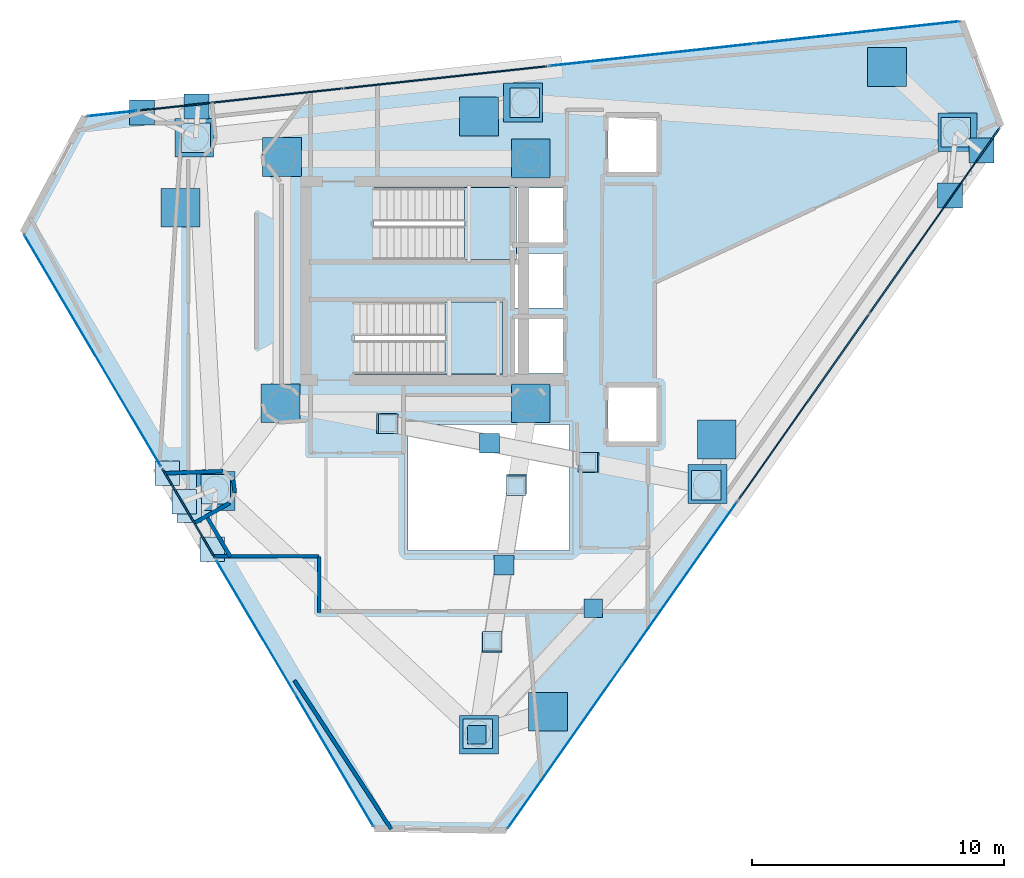
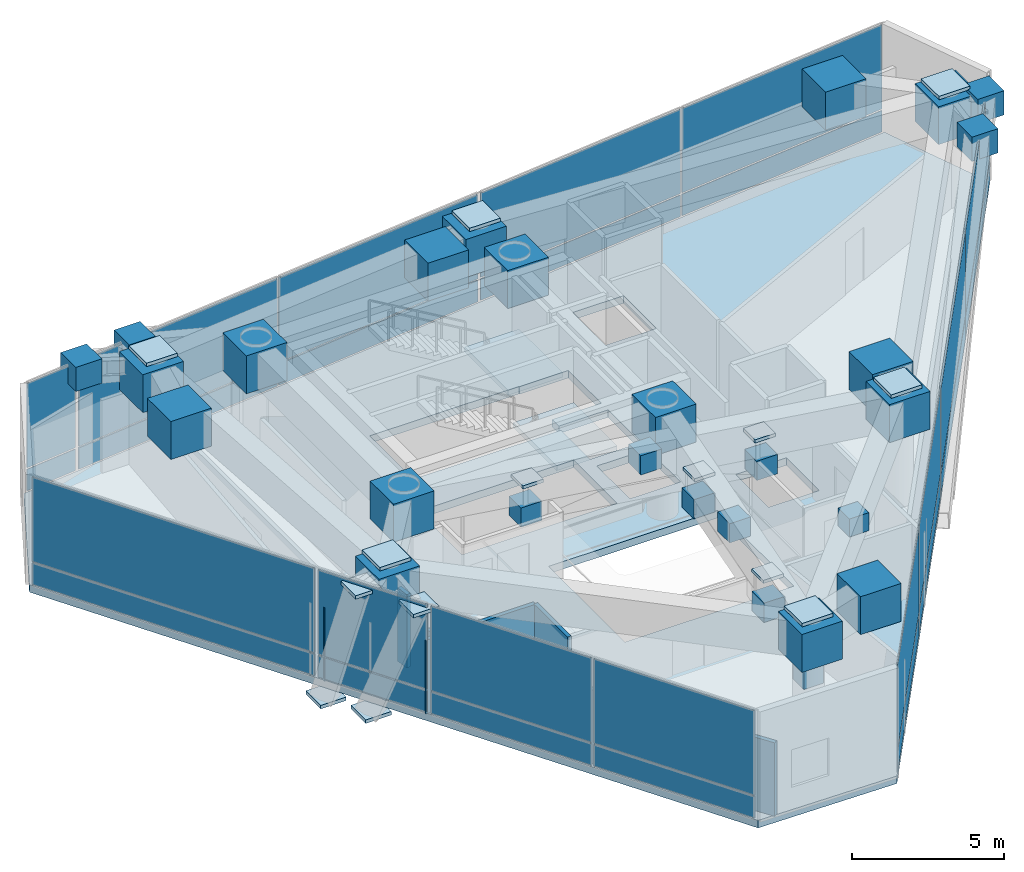
# One storey, part 17 of 21: 67 plates, 7 walls, 3 slabs, 10 elements without a shape of their own.
"""IFC4 building model written with IfcOpenShell, lengths in metres."""

from ifc_helpers import new_model, si_unit, direction, frame, frame_2d, origin, origin_2d, place, context, subcontext, project, spatial, polyline, rectangle, outline, extrude, material, layer, layer_set, type_object, element, aggregate, save


model = new_model("IFC4")

# Units and contexts
model_context = context("Model", 3, precision=1e-05, world=origin(), true_north=direction((0.0, 1.0)))
body_context = subcontext(model_context, "Body", "Model", "MODEL_VIEW")
ifc_project = project(units=[si_unit("LENGTHUNIT", "METRE"), si_unit("AREAUNIT", "SQUARE_METRE"), si_unit("VOLUMEUNIT", "CUBIC_METRE"), si_unit("PLANEANGLEUNIT", "RADIAN"), si_unit("MASSUNIT", "GRAM", prefix="KILO")], contexts=[model_context])

# Site, building, storey
site_placement = place(None, origin())
site = spatial("IfcSite", under=ifc_project, at=site_placement, CompositionType="ELEMENT")
building_placement = place(site_placement, origin())
building = spatial("IfcBuilding", under=site, at=building_placement, Name="Qianvela Tower", CompositionType="ELEMENT")
storey_placement = place(building_placement, frame((0.0, 0.0, 276.0)))
storey = spatial("IfcBuildingStorey", under=building, at=storey_placement, Name="L71", CompositionType="ELEMENT", Elevation=276.0)

# Curtain wall, plates
ifc_material_1 = material(Name="Anodised Architectural Aluminium and Insulated Spandrel Panel", Category="aluminium")
ifc_layer_1 = layer(ifc_material_1, 0.179931640625)
ifc_layer_set_1 = layer_set([ifc_layer_1], Name="Anodised Architectural Aluminium and Insulated Spandrel Panel")
curtain_wall_type_1 = type_object("IfcCurtainWallType", Name="CW-BRACEBAY", PredefinedType="USERDEFINED", material=ifc_layer_set_1)
curtain_wall_1_placement = place(storey_placement, origin())
curtain_wall_1 = element("IfcCurtainWall", 1, at=curtain_wall_1_placement, inside=storey, type_object=curtain_wall_type_1, Name="L71 CW-BRACEBAY Curtain Wall 02B", ObjectType="CURTAIN_WALL_SYSTEM", PredefinedType="USERDEFINED")
ifc_material_2 = material(Name="Insulated Aluminium Spandrel Panel with Mineral-Wool Backpan", Category="aluminium")
ifc_layer_2 = layer(ifc_material_2, 0.06005859375)
ifc_layer_set_2 = layer_set([ifc_layer_2], Name="Insulated Aluminium Spandrel Panel with Mineral-Wool Backpan")
plate_type_1 = type_object("IfcPlateType", Name="CW-BRACEBAY-PNL", PredefinedType="CURTAIN_PANEL", material=ifc_layer_set_2)
plate_1_placement = place(storey_placement, frame((35.085205078125, 36.777587890625, 0.06494140625), z_axis=(0.0, 0.0, 1.0), x_axis=(-0.994137633578, -0.108121993618, 0.0)))
plate_1 = element("IfcPlate", 2, at=plate_1_placement, type_object=plate_type_1, Name="CW-9 panel 1.1", PredefinedType="CURTAIN_PANEL", context=body_context, shape_type="SweptSolid", body=[
    extrude(rectangle(XDim=8.07763671875, YDim=0.06005859375, at=origin_2d()), origin(), (0.0, 0.0, 1.0), 0.8525390625),
])
plate_2_placement = place(storey_placement, frame((35.085205078125, 36.777587890625, 0.982421875), z_axis=(0.0, 0.0, 1.0), x_axis=(-0.994137633578, -0.108121993618, 0.0)))
plate_2 = element("IfcPlate", 3, at=plate_2_placement, type_object=plate_type_1, Name="CW-9 panel 1.2", PredefinedType="CURTAIN_PANEL", context=body_context, shape_type="SweptSolid", body=[
    extrude(rectangle(XDim=8.07763671875, YDim=0.06005859375, at=origin_2d()), origin(), (0.0, 0.0, 1.0), 3.37255859375),
])
plate_3_placement = place(storey_placement, frame((26.990478515625, 35.897216796875, 0.06494140625), z_axis=(0.0, 0.0, 1.0), x_axis=(-0.994137633578, -0.108121993618, 0.0)))
plate_3 = element("IfcPlate", 4, at=plate_3_placement, type_object=plate_type_1, Name="CW-9 panel 2.1", PredefinedType="CURTAIN_PANEL", context=body_context, shape_type="SweptSolid", body=[
    extrude(rectangle(XDim=8.07763671875, YDim=0.06005859375, at=origin_2d()), origin(), (0.0, 0.0, 1.0), 0.8525390625),
])
plate_4_placement = place(storey_placement, frame((26.990478515625, 35.897216796875, 0.982421875), z_axis=(0.0, 0.0, 1.0), x_axis=(-0.994137633578, -0.108121993618, 0.0)))
plate_4 = element("IfcPlate", 5, at=plate_4_placement, type_object=plate_type_1, Name="CW-9 panel 2.2", PredefinedType="CURTAIN_PANEL", context=body_context, shape_type="SweptSolid", body=[
    extrude(rectangle(XDim=8.07763671875, YDim=0.06005859375, at=origin_2d()), origin(), (0.0, 0.0, 1.0), 3.37255859375),
])
aggregate(curtain_wall_1, [plate_1, plate_2, plate_3, plate_4])

curtain_wall_2_placement = place(storey_placement, origin())
curtain_wall_2 = element("IfcCurtainWall", 6, at=curtain_wall_2_placement, inside=storey, type_object=curtain_wall_type_1, Name="L71 CW-BRACEBAY Curtain Wall 04B", ObjectType="CURTAIN_WALL_SYSTEM", PredefinedType="USERDEFINED")
plate_5_placement = place(storey_placement, frame((24.9013671875, 19.473388671875, 0.06494140625), z_axis=(0.0, 0.0, 1.0), x_axis=(0.508447997212, -0.861092697758, 0.0)))
plate_5 = element("IfcPlate", 7, at=plate_5_placement, type_object=plate_type_1, Name="CW-9 panel 1.1", PredefinedType="CURTAIN_PANEL", context=body_context, shape_type="SweptSolid", body=[
    extrude(rectangle(XDim=4.10986328125, YDim=0.06005859375, at=origin_2d()), origin(), (0.0, 0.0, 1.0), 0.8525390625),
])
plate_6_placement = place(storey_placement, frame((24.9013671875, 19.473388671875, 0.982421875), z_axis=(0.0, 0.0, 1.0), x_axis=(0.508447997212, -0.861092697758, 0.0)))
plate_6 = element("IfcPlate", 8, at=plate_6_placement, type_object=plate_type_1, Name="CW-9 panel 1.2", PredefinedType="CURTAIN_PANEL", context=body_context, shape_type="SweptSolid", body=[
    extrude(rectangle(XDim=4.10986328125, YDim=0.06005859375, at=origin_2d()), origin(), (0.0, 0.0, 1.0), 3.37255859375),
])
aggregate(curtain_wall_2, [plate_5, plate_6])

curtain_wall_3_placement = place(storey_placement, origin())
curtain_wall_3 = element("IfcCurtainWall", 9, at=curtain_wall_3_placement, inside=storey, type_object=curtain_wall_type_1, Name="L71 CW-BRACEBAY Curtain Wall 06B", ObjectType="CURTAIN_WALL_SYSTEM", PredefinedType="USERDEFINED")
plate_7_placement = place(storey_placement, frame((49.29443359375, 23.69580078125, 0.06494140625), z_axis=(0.0, 0.0, 1.0), x_axis=(0.574823001898, 0.818277774652, 0.0)))
plate_7 = element("IfcPlate", 10, at=plate_7_placement, type_object=plate_type_1, Name="CW-9 panel 1.1", PredefinedType="CURTAIN_PANEL", context=body_context, shape_type="SweptSolid", body=[
    extrude(rectangle(XDim=8.955810546875, YDim=0.06005859375, at=origin_2d()), origin(), (0.0, 0.0, 1.0), 0.8525390625),
])
plate_8_placement = place(storey_placement, frame((49.29443359375, 23.69580078125, 0.982421875), z_axis=(0.0, 0.0, 1.0), x_axis=(0.574823001898, 0.818277774652, 0.0)))
plate_8 = element("IfcPlate", 11, at=plate_8_placement, type_object=plate_type_1, Name="CW-9 panel 1.2", PredefinedType="CURTAIN_PANEL", context=body_context, shape_type="SweptSolid", body=[
    extrude(rectangle(XDim=8.955810546875, YDim=0.06005859375, at=origin_2d()), origin(), (0.0, 0.0, 1.0), 3.37255859375),
])
plate_9_placement = place(storey_placement, frame((54.47998046875, 31.077392578125, 0.06494140625), z_axis=(0.0, 0.0, 1.0), x_axis=(0.574823001898, 0.818277774652, 0.0)))
plate_9 = element("IfcPlate", 12, at=plate_9_placement, type_object=plate_type_1, Name="CW-9 panel 2.1", PredefinedType="CURTAIN_PANEL", context=body_context, shape_type="SweptSolid", body=[
    extrude(rectangle(XDim=8.955810546875, YDim=0.06005859375, at=origin_2d()), origin(), (0.0, 0.0, 1.0), 0.8525390625),
])
plate_10_placement = place(storey_placement, frame((54.47998046875, 31.077392578125, 0.982421875), z_axis=(0.0, 0.0, 1.0), x_axis=(0.574823001898, 0.818277774652, 0.0)))
plate_10 = element("IfcPlate", 13, at=plate_10_placement, type_object=plate_type_1, Name="CW-9 panel 2.2", PredefinedType="CURTAIN_PANEL", context=body_context, shape_type="SweptSolid", body=[
    extrude(rectangle(XDim=8.955810546875, YDim=0.06005859375, at=origin_2d()), origin(), (0.0, 0.0, 1.0), 3.37255859375),
])
aggregate(curtain_wall_3, [plate_7, plate_8, plate_9, plate_10])

ifc_material_3 = material(Name="Anodised Architectural Aluminium and Low-E Glass", Category="aluminium")
ifc_layer_3 = layer(ifc_material_3, 0.159912109375)
ifc_layer_set_3 = layer_set([ifc_layer_3], Name="Anodised Architectural Aluminium and Low-E Glass")
curtain_wall_type_2 = type_object("IfcCurtainWallType", Name="CW-COLIV-Z56", PredefinedType="USERDEFINED", material=ifc_layer_set_3)
curtain_wall_4_placement = place(storey_placement, origin())
curtain_wall_4 = element("IfcCurtainWall", 14, at=curtain_wall_4_placement, inside=storey, type_object=curtain_wall_type_2, Name="L71 CW-COLIV-Z56 Curtain Wall 02A", ObjectType="CURTAIN_WALL_SYSTEM", PredefinedType="USERDEFINED")
ifc_material_4 = material(Name="Double-Silver Low-E Insulated Glass", Category="glass")
ifc_layer_4 = layer(ifc_material_4, 0.028076171875)
ifc_layer_set_4 = layer_set([ifc_layer_4], Name="Double-Silver Low-E Insulated Glass")
plate_type_2 = type_object("IfcPlateType", Name="CW-COLIV-Z56-PNL", PredefinedType="CURTAIN_PANEL", material=ifc_layer_set_4)
plate_11_placement = place(storey_placement, frame((51.406494140625, 38.552734375, 0.06005859375), z_axis=(0.0, 0.0, 1.0), x_axis=(-0.994137784653, -0.108120604534, 0.0)))
plate_11 = element("IfcPlate", 15, at=plate_11_placement, type_object=plate_type_2, Name="CW-5 panel 1.1", PredefinedType="CURTAIN_PANEL", context=body_context, shape_type="SweptSolid", body=[
    extrude(rectangle(XDim=8.12255859375, YDim=0.028076171875, at=origin_2d()), origin(), (0.0, 0.0, 1.0), 0.860107421875),
])
plate_12_placement = place(storey_placement, frame((51.406494140625, 38.552734375, 0.97998046875), z_axis=(0.0, 0.0, 1.0), x_axis=(-0.994137784653, -0.108120604534, 0.0)))
plate_12 = element("IfcPlate", 16, at=plate_12_placement, type_object=plate_type_2, Name="CW-5 panel 1.2", PredefinedType="CURTAIN_PANEL", context=body_context, shape_type="SweptSolid", body=[
    extrude(rectangle(XDim=8.12255859375, YDim=0.028076171875, at=origin_2d()), origin(), (0.0, 0.0, 1.0), 3.3798828125),
])
plate_13_placement = place(storey_placement, frame((43.266845703125, 37.66748046875, 0.06005859375), z_axis=(0.0, 0.0, 1.0), x_axis=(-0.994137784653, -0.108120604534, 0.0)))
plate_13 = element("IfcPlate", 17, at=plate_13_placement, type_object=plate_type_2, Name="CW-5 panel 2.1", PredefinedType="CURTAIN_PANEL", context=body_context, shape_type="SweptSolid", body=[
    extrude(rectangle(XDim=8.12255859375, YDim=0.028076171875, at=origin_2d()), origin(), (0.0, 0.0, 1.0), 0.860107421875),
])
plate_14_placement = place(storey_placement, frame((43.266845703125, 37.66748046875, 0.97998046875), z_axis=(0.0, 0.0, 1.0), x_axis=(-0.994137784653, -0.108120604534, 0.0)))
plate_14 = element("IfcPlate", 18, at=plate_14_placement, type_object=plate_type_2, Name="CW-5 panel 2.2", PredefinedType="CURTAIN_PANEL", context=body_context, shape_type="SweptSolid", body=[
    extrude(rectangle(XDim=8.12255859375, YDim=0.028076171875, at=origin_2d()), origin(), (0.0, 0.0, 1.0), 3.3798828125),
])
aggregate(curtain_wall_4, [plate_11, plate_12, plate_13, plate_14])

curtain_wall_5_placement = place(storey_placement, origin())
curtain_wall_5 = element("IfcCurtainWall", 19, at=curtain_wall_5_placement, inside=storey, type_object=curtain_wall_type_2, Name="L71 CW-COLIV-Z56 Curtain Wall 02C", ObjectType="CURTAIN_WALL_SYSTEM", PredefinedType="USERDEFINED")
plate_15_placement = place(storey_placement, frame((21.868408203125, 35.34033203125, 0.06005859375), z_axis=(0.0, 0.0, 1.0), x_axis=(-0.994138112825, -0.108117587042, 0.0)))
plate_15 = element("IfcPlate", 20, at=plate_15_placement, type_object=plate_type_2, Name="CW-5 panel 1.1", PredefinedType="CURTAIN_PANEL", context=body_context, shape_type="SweptSolid", body=[
    extrude(rectangle(XDim=1.966796875, YDim=0.028076171875, at=origin_2d()), origin(), (0.0, 0.0, 1.0), 0.860107421875),
])
plate_16_placement = place(storey_placement, frame((21.868408203125, 35.34033203125, 0.97998046875), z_axis=(0.0, 0.0, 1.0), x_axis=(-0.994138112825, -0.108117587042, 0.0)))
plate_16 = element("IfcPlate", 21, at=plate_16_placement, type_object=plate_type_2, Name="CW-5 panel 1.2", PredefinedType="CURTAIN_PANEL", context=body_context, shape_type="SweptSolid", body=[
    extrude(rectangle(XDim=1.966796875, YDim=0.028076171875, at=origin_2d()), origin(), (0.0, 0.0, 1.0), 3.3798828125),
])
aggregate(curtain_wall_5, [plate_15, plate_16])

curtain_wall_6_placement = place(storey_placement, origin())
curtain_wall_6 = element("IfcCurtainWall", 22, at=curtain_wall_6_placement, inside=storey, type_object=curtain_wall_type_2, Name="L71 CW-COLIV-Z56 Curtain Wall 04A", ObjectType="CURTAIN_WALL_SYSTEM", PredefinedType="USERDEFINED")
plate_17_placement = place(storey_placement, frame((21.08544921875, 25.93603515625, 0.06005859375), z_axis=(0.0, 0.0, 1.0), x_axis=(0.50844086359, -0.861096909896, 0.0)))
plate_17 = element("IfcPlate", 23, at=plate_17_placement, type_object=plate_type_2, Name="CW-5 panel 1.1", PredefinedType="CURTAIN_PANEL", context=body_context, shape_type="SweptSolid", body=[
    extrude(rectangle(XDim=10.639892578125, YDim=0.028076171875, at=origin_2d()), origin(), (0.0, 0.0, 1.0), 0.860107421875),
])
plate_18_placement = place(storey_placement, frame((21.08544921875, 25.93603515625, 0.97998046875), z_axis=(0.0, 0.0, 1.0), x_axis=(0.50844086359, -0.861096909896, 0.0)))
plate_18 = element("IfcPlate", 24, at=plate_18_placement, type_object=plate_type_2, Name="CW-5 panel 1.2", PredefinedType="CURTAIN_PANEL", context=body_context, shape_type="SweptSolid", body=[
    extrude(rectangle(XDim=10.639892578125, YDim=0.028076171875, at=origin_2d()), origin(), (0.0, 0.0, 1.0), 3.3798828125),
])
aggregate(curtain_wall_6, [plate_17, plate_18])

curtain_wall_7_placement = place(storey_placement, origin())
curtain_wall_7 = element("IfcCurtainWall", 25, at=curtain_wall_7_placement, inside=storey, type_object=curtain_wall_type_2, Name="L71 CW-COLIV-Z56 Curtain Wall 04C", ObjectType="CURTAIN_WALL_SYSTEM", PredefinedType="USERDEFINED")
plate_19_placement = place(storey_placement, frame((27.55615234375, 14.977294921875, 0.06005859375), z_axis=(0.0, 0.0, 1.0), x_axis=(0.508444010249, -0.861095051921, 0.0)))
plate_19 = element("IfcPlate", 26, at=plate_19_placement, type_object=plate_type_2, Name="CW-5 panel 1.1", PredefinedType="CURTAIN_PANEL", context=body_context, shape_type="SweptSolid", body=[
    extrude(rectangle(XDim=6.0732421875, YDim=0.028076171875, at=origin_2d()), origin(), (0.0, 0.0, 1.0), 0.860107421875),
])
plate_20_placement = place(storey_placement, frame((27.55615234375, 14.977294921875, 0.97998046875), z_axis=(0.0, 0.0, 1.0), x_axis=(0.508444010249, -0.861095051921, 0.0)))
plate_20 = element("IfcPlate", 27, at=plate_20_placement, type_object=plate_type_2, Name="CW-5 panel 1.2", PredefinedType="CURTAIN_PANEL", context=body_context, shape_type="SweptSolid", body=[
    extrude(rectangle(XDim=6.0732421875, YDim=0.028076171875, at=origin_2d()), origin(), (0.0, 0.0, 1.0), 3.3798828125),
])
plate_21_placement = place(storey_placement, frame((30.677001953125, 9.691650390625, 0.06005859375), z_axis=(0.0, 0.0, 1.0), x_axis=(0.508444010249, -0.861095051921, 0.0)))
plate_21 = element("IfcPlate", 28, at=plate_21_placement, type_object=plate_type_2, Name="CW-5 panel 2.1", PredefinedType="CURTAIN_PANEL", context=body_context, shape_type="SweptSolid", body=[
    extrude(rectangle(XDim=6.0732421875, YDim=0.028076171875, at=origin_2d()), origin(), (0.0, 0.0, 1.0), 0.860107421875),
])
plate_22_placement = place(storey_placement, frame((30.677001953125, 9.691650390625, 0.97998046875), z_axis=(0.0, 0.0, 1.0), x_axis=(0.508444010249, -0.861095051921, 0.0)))
plate_22 = element("IfcPlate", 29, at=plate_22_placement, type_object=plate_type_2, Name="CW-5 panel 2.2", PredefinedType="CURTAIN_PANEL", context=body_context, shape_type="SweptSolid", body=[
    extrude(rectangle(XDim=6.0732421875, YDim=0.028076171875, at=origin_2d()), origin(), (0.0, 0.0, 1.0), 3.3798828125),
])
aggregate(curtain_wall_7, [plate_19, plate_20, plate_21, plate_22])

curtain_wall_8_placement = place(storey_placement, origin())
curtain_wall_8 = element("IfcCurtainWall", 30, at=curtain_wall_8_placement, inside=storey, type_object=curtain_wall_type_2, Name="L71 CW-COLIV-Z56 Curtain Wall 06A", ObjectType="CURTAIN_WALL_SYSTEM", PredefinedType="USERDEFINED")
plate_23_placement = place(storey_placement, frame((39.824951171875, 10.215576171875, 0.06005859375), z_axis=(0.0, 0.0, 1.0), x_axis=(0.574820688341, 0.818279399872, 0.0)))
plate_23 = element("IfcPlate", 31, at=plate_23_placement, type_object=plate_type_2, Name="CW-5 panel 1.1", PredefinedType="CURTAIN_PANEL", context=body_context, shape_type="SweptSolid", body=[
    extrude(rectangle(XDim=7.867431640625, YDim=0.028076171875, at=origin_2d()), origin(), (0.0, 0.0, 1.0), 0.860107421875),
])
plate_24_placement = place(storey_placement, frame((39.824951171875, 10.215576171875, 0.97998046875), z_axis=(0.0, 0.0, 1.0), x_axis=(0.574820688341, 0.818279399872, 0.0)))
plate_24 = element("IfcPlate", 32, at=plate_24_placement, type_object=plate_type_2, Name="CW-5 panel 1.2", PredefinedType="CURTAIN_PANEL", context=body_context, shape_type="SweptSolid", body=[
    extrude(rectangle(XDim=7.867431640625, YDim=0.028076171875, at=origin_2d()), origin(), (0.0, 0.0, 1.0), 3.3798828125),
])
plate_25_placement = place(storey_placement, frame((44.384521484375, 16.70654296875, 0.06005859375), z_axis=(0.0, 0.0, 1.0), x_axis=(0.574820688341, 0.818279399872, 0.0)))
plate_25 = element("IfcPlate", 33, at=plate_25_placement, type_object=plate_type_2, Name="CW-5 panel 2.1", PredefinedType="CURTAIN_PANEL", context=body_context, shape_type="SweptSolid", body=[
    extrude(rectangle(XDim=7.867431640625, YDim=0.028076171875, at=origin_2d()), origin(), (0.0, 0.0, 1.0), 0.860107421875),
])
plate_26_placement = place(storey_placement, frame((44.384521484375, 16.70654296875, 0.97998046875), z_axis=(0.0, 0.0, 1.0), x_axis=(0.574820688341, 0.818279399872, 0.0)))
plate_26 = element("IfcPlate", 34, at=plate_26_placement, type_object=plate_type_2, Name="CW-5 panel 2.2", PredefinedType="CURTAIN_PANEL", context=body_context, shape_type="SweptSolid", body=[
    extrude(rectangle(XDim=7.867431640625, YDim=0.028076171875, at=origin_2d()), origin(), (0.0, 0.0, 1.0), 3.3798828125),
])
aggregate(curtain_wall_8, [plate_23, plate_24, plate_25, plate_26])

# Plates
ifc_material_5 = material(Name="Steel Q420GJC", Category="steel")
ifc_layer_5 = layer(ifc_material_5, 0.1298828125)
ifc_layer_set_5 = layer_set([ifc_layer_5], Name="Steel Q420GJC")
plate_type_3 = type_object("IfcPlateType", Name="PT-ENDCAP-130", PredefinedType="USERDEFINED", material=ifc_layer_set_5)
for number, where, z_axis, x_axis, name in (
    (35, (37.89208984375, 20.572998046875, 3.713134765625), (0.0, 0.0, 1.0), (1.0, 0.0, 0.0), "L71 Hollow Section End Cap Plate B"),
    (36, (36.937744140625, 14.412109375, 3.713134765625), (0.0, 0.0, 1.0), (1.0, 0.0, 0.0), "L71 Hollow Section End Cap Plate B"),
    (37, (32.80908203125, 23.037109375, 3.713134765625), (0.0, 0.0, 1.0), (1.0, 0.0, 0.0), "L71 Hollow Section End Cap Plate B"),
    (38, (40.721923828125, 21.508544921875, 3.713134765625), (0.0, 0.0, 1.0), (1.0, 0.0, 0.0), "L71 Hollow Section End Cap Plate B"),
):
    element("IfcPlate", number, at=place(storey_placement, frame(where, z_axis=z_axis, x_axis=x_axis)), inside=storey, type_object=plate_type_3, Name=name, ObjectType="END_CAP", PredefinedType="USERDEFINED", context=body_context, shape_type="SweptSolid", body=[
        extrude(rectangle(XDim=0.77001953125, YDim=0.77001953125, at=origin_2d()), origin(), (0.0, 0.0, 1.0), 0.1298828125),
    ])
ifc_material_6 = material(Name="Steel Q420GJC", Category="steel")
ifc_layer_6 = layer(ifc_material_6, 0.139892578125)
ifc_layer_set_6 = layer_set([ifc_layer_6], Name="Steel Q420GJC")
plate_type_4 = type_object("IfcPlateType", Name="PT-GUSSET-NODE-140", PredefinedType="USERDEFINED", material=ifc_layer_set_6)
for number, where, z_axis, x_axis, name in (
    (39, (55.33203125, 34.60498046875, 4.59521484375), (0.0, 0.0, 1.0), (1.0, 0.0, 0.0), "L71 Node Gusset Plate TOP"),
    (40, (38.22509765625, 35.77294921875, 4.59521484375), (0.0, 0.0, 1.0), (1.0, 0.0, 0.0), "L71 Node Gusset Plate TOP"),
    (41, (25.181884765625, 34.384033203125, 4.59521484375), (0.0, 0.0, 1.0), (1.0, 0.0, 0.0), "L71 Node Gusset Plate TOP"),
    (42, (25.971923828125, 20.43701171875, 4.59521484375), (0.0, 0.0, 1.0), (1.0, 0.0, 0.0), "L71 Node Gusset Plate TOP"),
    (43, (36.368896484375, 10.741943359375, 4.59521484375), (0.0, 0.0, 1.0), (1.0, 0.0, 0.0), "L71 Node Gusset Plate TOP"),
    (44, (45.43603515625, 20.597900390625, 4.59521484375), (0.0, 0.0, 1.0), (1.0, 0.0, 0.0), "L71 Node Gusset Plate TOP"),
):
    element("IfcPlate", number, at=place(storey_placement, frame(where, z_axis=z_axis, x_axis=x_axis)), inside=storey, type_object=plate_type_4, Name=name, ObjectType="GUSSET_PLATE", PredefinedType="USERDEFINED", context=body_context, shape_type="SweptSolid", body=[
        extrude(rectangle(XDim=1.169921875, YDim=1.169921875, at=origin_2d()), origin(), (0.0, 0.0, 1.0), 0.139892578125),
    ])
for number, where, z_axis, x_axis, name in (
    (45, (25.206298828125, 35.622802734375, 3.6533203125), (0.0, 0.0, 1.0), (1.0, 0.0, 0.0), "L71 Node Gusset Plate B"),
    (46, (23.0439453125, 35.3876953125, 3.65283203125), (0.0, 0.0, 1.0), (1.0, 0.0, 0.0), "L71 Node Gusset Plate B"),
):
    element("IfcPlate", number, at=place(storey_placement, frame(where, z_axis=z_axis, x_axis=x_axis)), inside=storey, type_object=plate_type_4, Name=name, ObjectType="GUSSET_PLATE", PredefinedType="USERDEFINED", context=body_context, shape_type="SweptSolid", body=[
        extrude(rectangle(XDim=0.989990234375, YDim=0.989990234375, at=origin_2d()), origin(), (0.0, 0.0, 1.0), 0.969970703125),
    ])
for number, where, z_axis, x_axis, name in (
    (47, (24.05078125, 21.071044921875, -0.73486328125), (0.0, 0.0, 1.0), (1.0, 0.0, 0.0), "L71 Node Gusset Plate A"),
    (48, (24.721923828125, 19.9345703125, 4.11083984375), (0.0, 0.0, 1.0), (1.0, 0.0, 0.0), "L71 Node Gusset Plate B"),
    (49, (24.913818359375, 19.609619140625, -0.73291015625), (0.0, 0.0, 1.0), (1.0, 0.0, 0.0), "L71 Node Gusset Plate A"),
    (50, (25.830810546875, 18.056884765625, 4.10888671875), (0.0, 0.0, 1.0), (1.0, 0.0, 0.0), "L71 Node Gusset Plate B"),
):
    element("IfcPlate", number, at=place(storey_placement, frame(where, z_axis=z_axis, x_axis=x_axis)), inside=storey, type_object=plate_type_4, Name=name, ObjectType="GUSSET_PLATE", PredefinedType="USERDEFINED", context=body_context, shape_type="SweptSolid", body=[
        extrude(rectangle(XDim=0.969970703125, YDim=0.969970703125, at=origin_2d()), origin(), (0.0, 0.0, 1.0), 0.139892578125),
    ])
for number, where, z_axis, x_axis, name in (
    (51, (55.092529296875, 32.0888671875, 3.65234375), (0.0, 0.0, 1.0), (1.0, 0.0, 0.0), "L71 Node Gusset Plate B"),
    (52, (56.343017578125, 33.86865234375, 3.65185546875), (0.0, 0.0, 1.0), (1.0, 0.0, 0.0), "L71 Node Gusset Plate B"),
):
    element("IfcPlate", number, at=place(storey_placement, frame(where, z_axis=z_axis, x_axis=x_axis)), inside=storey, type_object=plate_type_4, Name=name, ObjectType="GUSSET_PLATE", PredefinedType="USERDEFINED", context=body_context, shape_type="SweptSolid", body=[
        extrude(rectangle(XDim=0.989990234375, YDim=0.989990234375, at=origin_2d()), origin(), (0.0, 0.0, 1.0), 0.969970703125),
    ])
for number, where, z_axis, x_axis, name in (
    (53, (28.534912109375, 23.85009765625, 2.9580078125), (0.0, 0.0, 1.0), (1.0, 0.0, 0.0), "L71 Node Gusset Plate A"),
    (54, (38.465087890625, 23.85009765625, 2.9580078125), (0.0, 0.0, 1.0), (1.0, 0.0, 0.0), "L71 Node Gusset Plate B"),
    (55, (28.60009765625, 33.614990234375, 2.9580078125), (0.0, 0.0, 1.0), (1.0, 0.0, 0.0), "L71 Node Gusset Plate A"),
    (56, (38.465087890625, 33.550048828125, 2.9580078125), (0.0, 0.0, 1.0), (1.0, 0.0, 0.0), "L71 Node Gusset Plate B"),
    (57, (55.396728515625, 34.6005859375, 2.9580078125), (0.0, 0.0, 1.0), (1.0, 0.0, 0.0), "L71 Node Gusset Plate A"),
    (58, (38.16015625, 35.77734375, 2.9580078125), (0.0, 0.0, 1.0), (1.0, 0.0, 0.0), "L71 Node Gusset Plate B"),
    (59, (25.117431640625, 34.377197265625, 2.9580078125), (0.0, 0.0, 1.0), (1.0, 0.0, 0.0), "L71 Node Gusset Plate B"),
    (60, (25.9755859375, 20.3720703125, 2.9580078125), (0.0, 0.0, 1.0), (1.0, 0.0, 0.0), "L71 Node Gusset Plate B"),
    (61, (36.41650390625, 10.69775390625, 2.9580078125), (0.0, 0.0, 1.0), (1.0, 0.0, 0.0), "L71 Node Gusset Plate B"),
    (62, (45.47998046875, 20.645751953125, 2.9580078125), (0.0, 0.0, 1.0), (1.0, 0.0, 0.0), "L71 Node Gusset Plate B"),
):
    element("IfcPlate", number, at=place(storey_placement, frame(where, z_axis=z_axis, x_axis=x_axis)), inside=storey, type_object=plate_type_4, Name=name, ObjectType="GUSSET_PLATE", PredefinedType="USERDEFINED", context=body_context, shape_type="SweptSolid", body=[
        extrude(rectangle(XDim=1.5400390625, YDim=1.5400390625, at=origin_2d()), origin(), (0.0, 0.0, 1.0), 1.52001953125),
    ])
for number, where, z_axis, x_axis, name in (
    (63, (36.325927734375, 10.6953125, 1.9267578125), (0.0, 0.0, 1.0), (1.0, 0.0, 0.0), "L71 Node Gusset Plate A"),
    (64, (40.945556640625, 15.716796875, 3.37158203125), (0.0, 0.0, 1.0), (1.0, 0.0, 0.0), "L71 Node Gusset Plate B"),
):
    element("IfcPlate", number, at=place(storey_placement, frame(where, z_axis=z_axis, x_axis=x_axis)), inside=storey, type_object=plate_type_4, Name=name, ObjectType="GUSSET_PLATE", PredefinedType="USERDEFINED", context=body_context, shape_type="SweptSolid", body=[
        extrude(rectangle(XDim=0.739990234375, YDim=0.739990234375, at=origin_2d()), origin(), (0.0, 0.0, 1.0), 0.719970703125),
    ])
for number, where, z_axis, x_axis, name in (
    (65, (37.901611328125, 20.633544921875, 2.206298828125), (0.0, 0.0, 1.0), (1.0, 0.0, 0.0), "L71 Node Gusset Plate A"),
    (66, (37.405517578125, 17.43212890625, 3.354736328125), (0.0, 0.0, 1.0), (1.0, 0.0, 0.0), "L71 Node Gusset Plate B"),
    (67, (36.92822265625, 14.351806640625, 2.206298828125), (0.0, 0.0, 1.0), (1.0, 0.0, 0.0), "L71 Node Gusset Plate B"),
    (68, (32.74755859375, 23.048828125, 2.210693359375), (0.0, 0.0, 1.0), (1.0, 0.0, 0.0), "L71 Node Gusset Plate A"),
    (69, (36.826904296875, 22.260986328125, 3.35009765625), (0.0, 0.0, 1.0), (1.0, 0.0, 0.0), "L71 Node Gusset Plate B"),
    (70, (40.783447265625, 21.49658203125, 2.210693359375), (0.0, 0.0, 1.0), (1.0, 0.0, 0.0), "L71 Node Gusset Plate B"),
):
    element("IfcPlate", number, at=place(storey_placement, frame(where, z_axis=z_axis, x_axis=x_axis)), inside=storey, type_object=plate_type_4, Name=name, ObjectType="GUSSET_PLATE", PredefinedType="USERDEFINED", context=body_context, shape_type="SweptSolid", body=[
        extrude(rectangle(XDim=0.7900390625, YDim=0.7900390625, at=origin_2d()), origin(), (0.0, 0.0, 1.0), 0.77001953125),
    ])
for number, where, z_axis, x_axis, name in (
    (71, (52.6005859375, 37.1796875, 2.9580078125), (0.0, 0.0, 1.0), (1.0, 0.0, 0.0), "L71 Node Gusset Plate B"),
    (72, (36.413818359375, 35.22412109375, 2.9580078125), (0.0, 0.0, 1.0), (1.0, 0.0, 0.0), "L71 Node Gusset Plate B"),
    (73, (24.572998046875, 31.599609375, 2.9580078125), (0.0, 0.0, 1.0), (1.0, 0.0, 0.0), "L71 Node Gusset Plate B"),
    (74, (39.158203125, 11.607421875, 2.9580078125), (0.0, 0.0, 1.0), (1.0, 0.0, 0.0), "L71 Node Gusset Plate B"),
    (75, (45.848388671875, 22.408447265625, 2.9580078125), (0.0, 0.0, 1.0), (1.0, 0.0, 0.0), "L71 Node Gusset Plate B"),
):
    element("IfcPlate", number, at=place(storey_placement, frame(where, z_axis=z_axis, x_axis=x_axis)), inside=storey, type_object=plate_type_4, Name=name, ObjectType="GUSSET_PLATE", PredefinedType="USERDEFINED", context=body_context, shape_type="SweptSolid", body=[
        extrude(rectangle(XDim=1.5400390625, YDim=1.5400390625, at=origin_2d()), origin(), (0.0, 0.0, 1.0), 1.52001953125),
    ])

# Stair, slab
ifc_material_7 = material(Name="Concrete C40", Category="concrete")
stair_type = type_object("IfcStairType", Name="ST-DOGLEG-1350-R164-N28", PredefinedType="HALF_TURN_STAIR", material=ifc_material_7)
stair_1_placement = place(storey_placement, origin())
stair_1 = element("IfcStair", 76, at=stair_1_placement, inside=storey, type_object=stair_type, Name="L71 Smoke-Proof Core Stair ST-1", PredefinedType="HALF_TURN_STAIR")
ifc_material_8 = material(Name="Concrete C40", Category="concrete")
ifc_layer_7 = layer(ifc_material_8, 0.199951171875)
ifc_layer_set_7 = layer_set([ifc_layer_7], Name="Concrete C40")
slab_type_1 = type_object("IfcSlabType", Name="SL-STAIR-LANDING-200", PredefinedType="LANDING", material=ifc_layer_set_7)
slab_1_placement = place(storey_placement, frame((0.0, 0.0, 2.10009765625)))
slab_1 = element("IfcSlab", 77, at=slab_1_placement, type_object=slab_type_1, Name="ST-1 landing 1", PredefinedType="LANDING", context=body_context, shape_type="SweptSolid", body=[
    extrude(outline(polyline([(35.840087890625, 29.5400390625), (37.89990234375, 29.5400390625), (37.89990234375, 32.39990234375), (35.840087890625, 32.39990234375), (35.840087890625, 29.5400390625)])), origin(), (0.0, 0.0, 1.0), 0.199951171875),
])
aggregate(stair_1, [slab_1])

stair_2_placement = place(storey_placement, origin())
stair_2 = element("IfcStair", 78, at=stair_2_placement, inside=storey, type_object=stair_type, Name="L71 Smoke-Proof Core Stair ST-2", PredefinedType="HALF_TURN_STAIR")
slab_2_placement = place(storey_placement, frame((0.0, 0.0, 2.10009765625)))
slab_2 = element("IfcSlab", 79, at=slab_2_placement, type_object=slab_type_1, Name="ST-2 landing 1", PredefinedType="LANDING", context=body_context, shape_type="SweptSolid", body=[
    extrude(outline(polyline([(35.06005859375, 25.0), (37.35009765625, 25.0), (37.35009765625, 27.860107421875), (35.06005859375, 27.860107421875), (35.06005859375, 25.0)])), origin(), (0.0, 0.0, 1.0), 0.199951171875),
])
aggregate(stair_2, [slab_2])

# Slab
ifc_material_9 = material(Name="Concrete C40", Category="concrete")
ifc_layer_8 = layer(ifc_material_9, 0.300048828125)
ifc_layer_set_8 = layer_set([ifc_layer_8], Name="Concrete C40")
slab_type_2 = type_object("IfcSlabType", Name="SL-TRANS-300", PredefinedType="FLOOR", material=ifc_layer_set_8)
slab_3_placement = place(storey_placement, frame((0.0, 0.0, -0.300048828125)))
element("IfcSlab", 80, at=slab_3_placement, inside=storey, type_object=slab_type_2, Name="L71 Composite Structural Floor Slab", PredefinedType="FLOOR", context=body_context, shape_type="SweptSolid", body=[
    extrude(outline(polyline([(57.119873046875, 34.835693359375), (55.55810546875, 39.00439453125), (20.776611328125, 35.221435546875), (18.322021484375, 30.6162109375), (32.279541015625, 6.977783203125), (37.49755859375, 6.902587890625), (57.119873046875, 34.835693359375)]), holes=[polyline([(40.0, 23.0), (33.60009765625, 23.0), (33.60009765625, 18.0), (40.0, 18.0), (40.0, 23.0)]), polyline([(43.4599609375, 24.47998046875), (41.5400390625, 24.47998046875), (41.5400390625, 22.320068359375), (43.4599609375, 22.320068359375), (43.4599609375, 24.47998046875)]), polyline([(39.760009765625, 27.179931640625), (37.840087890625, 27.179931640625), (37.840087890625, 25.02001953125), (39.760009765625, 25.02001953125), (39.760009765625, 27.179931640625)]), polyline([(37.35009765625, 27.860107421875), (31.469970703125, 27.860107421875), (31.469970703125, 25.0), (37.35009765625, 25.0), (37.35009765625, 27.860107421875)]), polyline([(39.760009765625, 27.6201171875), (39.760009765625, 29.780029296875), (37.89990234375, 29.780029296875), (37.89990234375, 30.219970703125), (39.760009765625, 30.219970703125), (39.760009765625, 32.3798828125), (37.89990234375, 32.3798828125), (37.89990234375, 32.39990234375), (32.25, 32.39990234375), (32.25, 29.5400390625), (37.840087890625, 29.5400390625), (37.840087890625, 27.6201171875), (39.760009765625, 27.6201171875)]), polyline([(43.4599609375, 35.179931640625), (41.5400390625, 35.179931640625), (41.5400390625, 33.02001953125), (43.4599609375, 33.02001953125), (43.4599609375, 35.179931640625)])]), origin(), (0.0, 0.0, 1.0), 0.300048828125),
])

# Walls
ifc_material_10 = material(Name="Fire-Rated Acoustic Gypsum Board")
ifc_layer_9 = layer(ifc_material_10, 0.14990234375)
ifc_layer_set_9 = layer_set([ifc_layer_9], Name="Fire-Rated Acoustic Gypsum Board")
wall_type = type_object("IfcWallType", Name="WT-CORR-150", PredefinedType="PARTITIONING", material=ifc_layer_set_9)
wall_1_placement = place(storey_placement, frame((26.7333984375, 20.295654296875, 0.0), z_axis=(0.0, 0.0, 1.0), x_axis=(-0.12647019313, 0.991970407951, 0.0)))
element("IfcWall", 81, at=wall_1_placement, inside=storey, type_object=wall_type, Name="L71 Partition 41", PredefinedType="PARTITIONING", context=body_context, shape_type="SweptSolid", body=[
    extrude(rectangle(XDim=0.505859375, YDim=0.14990234375, at=frame_2d((0.2529296875, 0.0))), origin(), (0.0, 0.0, 1.0), 2.93994140625),
])
wall_2_placement = place(storey_placement, frame((26.255859375, 21.15625, 0.0), z_axis=(0.0, 0.0, 1.0), x_axis=(-0.999268778585, -0.038234907413, 0.0)))
element("IfcWall", 82, at=wall_2_placement, inside=storey, type_object=wall_type, Name="L71 Partition 43", PredefinedType="PARTITIONING", context=body_context, shape_type="SweptSolid", body=[
    extrude(rectangle(XDim=2.31787109375, YDim=0.14990234375, at=frame_2d((1.158935546875, 0.0))), origin(), (0.0, 0.0, 1.0), 2.93994140625),
])
wall_3_placement = place(storey_placement, frame((30.0810546875, 15.550048828125, 0.0), z_axis=(0.0, 0.0, 1.0), x_axis=(0.0, 1.0, 0.0)))
element("IfcWall", 83, at=wall_3_placement, inside=storey, type_object=wall_type, Name="L71 Partition 66", PredefinedType="PARTITIONING", context=body_context, shape_type="SweptSolid", body=[
    extrude(rectangle(XDim=2.199951171875, YDim=0.14990234375, at=frame_2d((1.10009765625, 0.0))), origin(), (0.0, 0.0, 1.0), 2.93994140625),
])
wall_4_placement = place(storey_placement, frame((30.050048828125, 17.781005859375, 0.0), z_axis=(0.0, 0.0, 1.0), x_axis=(-1.0, 0.0, 0.0)))
element("IfcWall", 84, at=wall_4_placement, inside=storey, type_object=wall_type, Name="L71 Partition 67", PredefinedType="PARTITIONING", context=body_context, shape_type="SweptSolid", body=[
    extrude(rectangle(XDim=4.16943359375, YDim=0.14990234375, at=frame_2d((2.084716796875, 0.0))), origin(), (0.0, 0.0, 1.0), 2.93994140625),
])
wall_5_placement = place(storey_placement, frame((26.549560546875, 17.765869140625, 0.0), z_axis=(0.0, 0.0, 1.0), x_axis=(-0.508402812548, 0.861119376273, 0.0)))
element("IfcWall", 85, at=wall_5_placement, inside=storey, type_object=wall_type, Name="L71 Partition 68", PredefinedType="PARTITIONING", context=body_context, shape_type="SweptSolid", body=[
    extrude(rectangle(XDim=1.8896484375, YDim=0.14990234375, at=frame_2d((0.94482421875, 0.0))), origin(), (0.0, 0.0, 1.0), 2.93994140625),
])
wall_6_placement = place(storey_placement, frame((25.1083984375, 19.08349609375, 0.0), z_axis=(0.0, 0.0, 1.0), x_axis=(0.86917054385, 0.494512452527, 0.0)))
element("IfcWall", 86, at=wall_6_placement, inside=storey, type_object=wall_type, Name="L71 Partition 69", PredefinedType="PARTITIONING", context=body_context, shape_type="SweptSolid", body=[
    extrude(rectangle(XDim=1.617431640625, YDim=0.14990234375, at=frame_2d((0.80859375, 0.0))), origin(), (0.0, 0.0, 1.0), 2.93994140625),
])
wall_7_placement = place(storey_placement, frame((32.93505859375, 6.951416015625, 0.0), z_axis=(0.0, 0.0, 1.0), x_axis=(-0.545965288972, 0.837807796119, 0.0)))
element("IfcWall", 87, at=wall_7_placement, inside=storey, type_object=wall_type, Name="L71 Partition 77 seg 1", PredefinedType="PARTITIONING", context=body_context, shape_type="SweptSolid", body=[
    extrude(rectangle(XDim=7.0419921875, YDim=0.14990234375, at=frame_2d((3.52099609375, 0.0))), origin(), (0.0, 0.0, 1.0), 2.93994140625),
])

save(model, "model.ifc")
